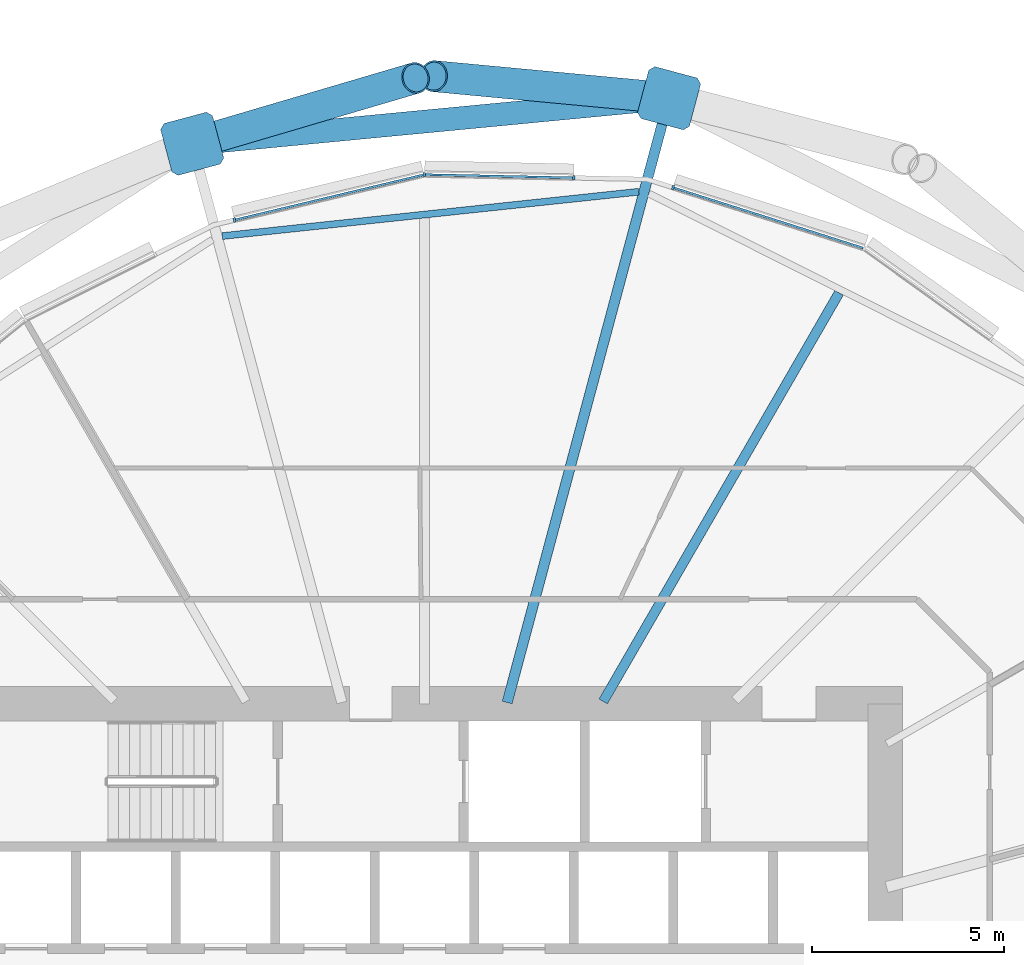
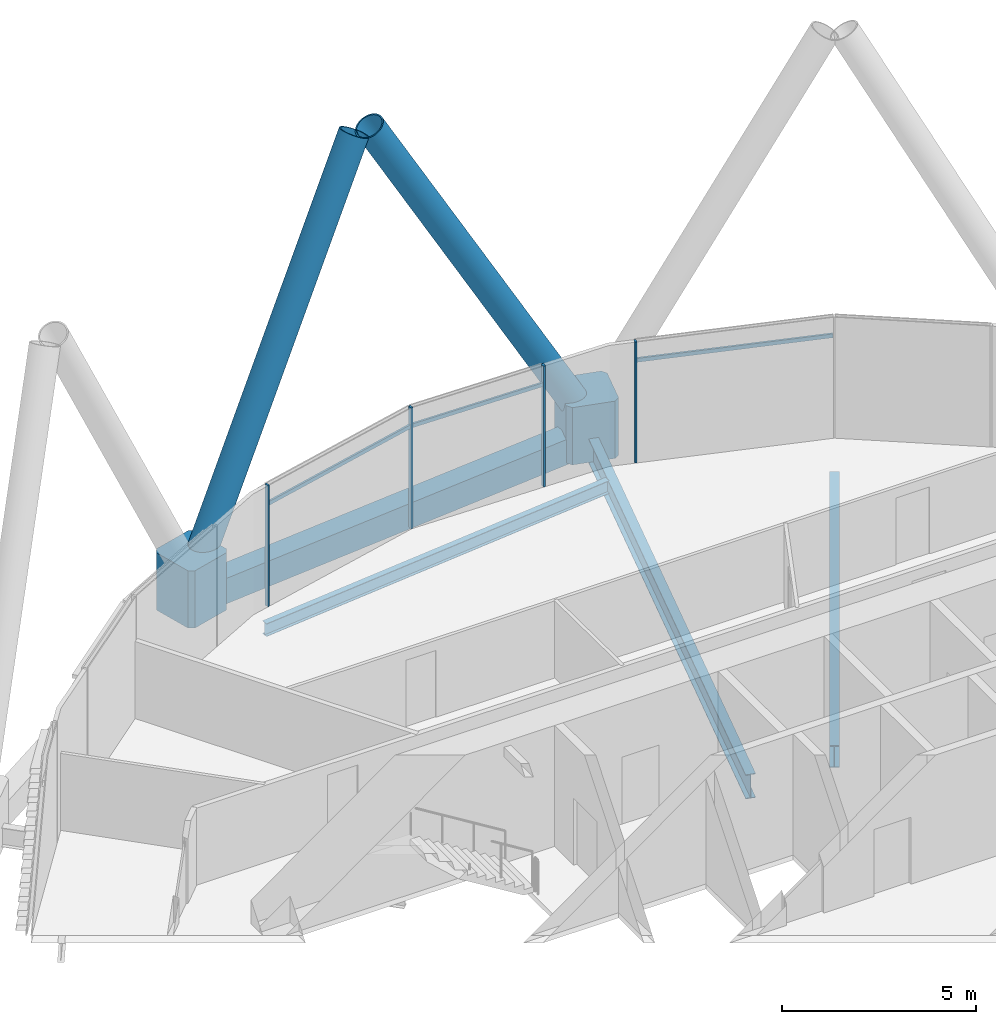
# One storey, part 20 of 40: 11 members, 4 beams, 1 element without a shape of its own.
"""IFC4 building model written with IfcOpenShell, lengths in metres."""

from ifc_helpers import new_model, si_unit, direction, frame, origin, origin_2d, place, context, subcontext, project, spatial, polyline, rectangle, hollow_rectangle, hollow_circle, i_section, outline, extrude, material, material_profile, profile_set, type_object, element, aggregate, save


model = new_model("IFC4")

# Units and contexts
model_context = context("Model", 3, precision=1e-05, world=origin(), true_north=direction((0.0, 1.0)))
body_context = subcontext(model_context, "Body", "Model", "MODEL_VIEW")
ifc_project = project(units=[si_unit("LENGTHUNIT", "METRE"), si_unit("AREAUNIT", "SQUARE_METRE"), si_unit("VOLUMEUNIT", "CUBIC_METRE"), si_unit("PLANEANGLEUNIT", "RADIAN"), si_unit("MASSUNIT", "GRAM", prefix="KILO")], contexts=[model_context])

# Site, building, storey
site_placement = place(None, origin())
site = spatial("IfcSite", under=ifc_project, at=site_placement, CompositionType="ELEMENT")
building_placement = place(site_placement, origin())
building = spatial("IfcBuilding", under=site, at=building_placement, Name="Rimbun Link Towers", CompositionType="ELEMENT")
storey_placement = place(building_placement, frame((0.0, 0.0, 52.800048828125)))
storey = spatial("IfcBuildingStorey", under=building, at=storey_placement, Name="L12", CompositionType="ELEMENT", Elevation=52.800048828125)

# Curtain wall, members
ifc_material_1 = material(Name="Aluminium 6063-T6 and low-iron glass", Category="aluminium")
curtain_wall_type = type_object("IfcCurtainWallType", Name="CW1 unitised vision wall", PredefinedType="NOTDEFINED", material=ifc_material_1)
curtain_wall_placement = place(storey_placement, origin())
curtain_wall = element("IfcCurtainWall", 1, at=curtain_wall_placement, inside=storey, type_object=curtain_wall_type, Name="CW1 L12 T2", PredefinedType="NOTDEFINED")
ifc_material_2 = material(Name="Aluminium 6063-T6", Category="aluminium")
ifc_material_profile_1 = material_profile(ifc_material_2, rectangle(XDim=0.1201171875, YDim=0.06005859375, at=origin_2d()), Name="MULLION 60X120")
ifc_profile_set_1 = profile_set([ifc_material_profile_1], Name="Aluminium 6063-T6")
member_type_1 = type_object("IfcMemberType", Name="CW1 mullion 60X120", PredefinedType="MULLION", material=ifc_profile_set_1)
member_1_placement = place(storey_placement, frame((38.22509765625, 21.453369140625, 0.0), z_axis=(0.0, 0.0, 1.0), x_axis=(0.303073433186, 0.952967205153, 0.0)))
member_1 = element("IfcMember", 2, at=member_1_placement, type_object=member_type_1, Name="CW1 mullion", PredefinedType="MULLION", context=body_context, shape_type="SweptSolid", body=[
    extrude(rectangle(XDim=0.1201171875, YDim=0.06005859375, at=origin_2d()), origin(), (0.0, 0.0, 1.0), 3.800048828125),
])
member_2_placement = place(storey_placement, frame((31.74365234375, 21.7900390625, 0.0), z_axis=(0.0, 0.0, 1.0), x_axis=(-0.106639525927, 0.994297747916, 0.0)))
member_2 = element("IfcMember", 3, at=member_2_placement, type_object=member_type_1, Name="CW1 mullion", PredefinedType="MULLION", context=body_context, shape_type="SweptSolid", body=[
    extrude(rectangle(XDim=0.1201171875, YDim=0.06005859375, at=origin_2d()), origin(), (0.0, 0.0, 1.0), 3.800048828125),
])
member_3_placement = place(storey_placement, frame((35.6416015625, 21.708251953125, 0.0), z_axis=(0.0, 0.0, 1.0), x_axis=(0.02106649948, 0.999778076675, 0.0)))
member_3 = element("IfcMember", 4, at=member_3_placement, type_object=member_type_1, Name="CW1 mullion", PredefinedType="MULLION", context=body_context, shape_type="SweptSolid", body=[
    extrude(rectangle(XDim=0.1201171875, YDim=0.06005859375, at=origin_2d()), origin(), (0.0, 0.0, 1.0), 3.800048828125),
])
member_4_placement = place(storey_placement, frame((26.799072265625, 20.60791015625, 0.0), z_axis=(0.0, 0.0, 1.0), x_axis=(-0.232603182737, 0.972571724543, 0.0)))
member_4 = element("IfcMember", 5, at=member_4_placement, type_object=member_type_1, Name="CW1 mullion", PredefinedType="MULLION", context=body_context, shape_type="SweptSolid", body=[
    extrude(rectangle(XDim=0.1201171875, YDim=0.06005859375, at=origin_2d()), origin(), (0.0, 0.0, 1.0), 3.800048828125),
])
ifc_material_3 = material(Name="Aluminium 6063-T6", Category="aluminium")
ifc_material_profile_2 = material_profile(ifc_material_3, rectangle(XDim=0.06005859375, YDim=0.1201171875, at=origin_2d()), Name="TRANSOM 60X120")
ifc_profile_set_2 = profile_set([ifc_material_profile_2], Name="Aluminium 6063-T6")
member_type_2 = type_object("IfcMemberType", Name="CW1 transom 60X120", PredefinedType="USERDEFINED", material=ifc_profile_set_2)
member_5_placement = place(storey_placement, frame((38.253173828125, 21.4423828125, 3.199951171875), z_axis=(0.95296300276, -0.303086646639, 0.0), x_axis=(0.303086646639, 0.95296300276, 0.0)))
member_5 = element("IfcMember", 6, at=member_5_placement, type_object=member_type_2, Name="CW1 transom", ObjectType="TRANSOM", PredefinedType="USERDEFINED", context=body_context, shape_type="SweptSolid", body=[
    extrude(rectangle(XDim=0.06005859375, YDim=0.1201171875, at=origin_2d()), origin(), (0.0, 0.0, 1.0), 5.16748046875),
])
member_6_placement = place(storey_placement, frame((31.78125, 21.78759765625, 3.199951171875), z_axis=(0.999778862049, -0.021029193988, 0.0), x_axis=(0.021029193988, 0.999778862049, 0.0)))
member_6 = element("IfcMember", 7, at=member_6_placement, type_object=member_type_2, Name="CW1 transom", ObjectType="TRANSOM", PredefinedType="USERDEFINED", context=body_context, shape_type="SweptSolid", body=[
    extrude(rectangle(XDim=0.06005859375, YDim=0.1201171875, at=origin_2d()), origin(), (0.0, 0.0, 1.0), 3.8310546875),
])
member_7_placement = place(storey_placement, frame((26.82861328125, 20.613037109375, 3.199951171875), z_axis=(0.972573865596, 0.23259423028, 0.0), x_axis=(-0.23259423028, 0.972573865596, 0.0)))
member_7 = element("IfcMember", 8, at=member_7_placement, type_object=member_type_2, Name="CW1 transom", ObjectType="TRANSOM", PredefinedType="USERDEFINED", context=body_context, shape_type="SweptSolid", body=[
    extrude(rectangle(XDim=0.06005859375, YDim=0.1201171875, at=origin_2d()), origin(), (0.0, 0.0, 1.0), 5.016357421875),
])
aggregate(curtain_wall, [member_1, member_2, member_3, member_4, member_5, member_6, member_7])

# Members
ifc_material_4 = material(Name="Steel S460NH", Category="steel")
ifc_material_profile_3 = material_profile(ifc_material_4, hollow_circle(Radius=0.406494140625, WallThickness=0.0400390625, at=origin_2d()), Name="Diagrid diagonal CHS 813x40")
ifc_profile_set_3 = profile_set([ifc_material_profile_3], Name="Steel S460NH")
member_type_3 = type_object("IfcMemberType", Name="Diagrid diagonal CHS 813x40", PredefinedType="BRACE", material=ifc_profile_set_3)
member_8_placement = place(storey_placement, frame((37.878662109375, 23.804443359375, 0.43603515625), z_axis=(-0.487425904684, 0.045699338087, 0.871967635834), x_axis=(-0.093347106217, -0.995633626271, 0.0)))
element("IfcMember", 9, at=member_8_placement, inside=storey, type_object=member_type_3, Name="Diagrid diagonal T2 L12-L15 02b", PredefinedType="BRACE", context=body_context, shape_type="SweptSolid", body=[
    extrude(hollow_circle(Radius=0.406494140625, WallThickness=0.0400390625, at=origin_2d()), origin(), (0.0, 0.0, 1.0), 12.07373046875),
])
member_9_placement = place(storey_placement, frame((25.927978515625, 22.663330078125, 0.437255859375), z_axis=(0.4646064379, 0.136916341407, 0.874868432004), x_axis=(-0.282674377201, 0.959215927971, 0.0)))
element("IfcMember", 10, at=member_9_placement, inside=storey, type_object=member_type_3, Name="Diagrid diagonal T2 L12-L15 04a", PredefinedType="BRACE", context=body_context, shape_type="SweptSolid", body=[
    extrude(hollow_circle(Radius=0.406494140625, WallThickness=0.0400390625, at=origin_2d()), origin(), (0.0, 0.0, 1.0), 12.03076171875),
])
ifc_material_5 = material(Name="Cast steel G20Mn5+QT, Rp0.2 300 MPa", Category="steel")
ifc_material_profile_4 = material_profile(ifc_material_5, outline(polyline([(0.699951171875, -0.570068359375), (0.699951171875, 0.570068359375), (0.570068359375, 0.699951171875), (-0.570068359375, 0.699951171875), (-0.699951171875, 0.570068359375), (-0.699951171875, -0.570068359375), (-0.570068359375, -0.699951171875), (0.570068359375, -0.699951171875), (0.699951171875, -0.570068359375)])), Name="NODE 1400x1400")
ifc_profile_set_4 = profile_set([ifc_material_profile_4], Name="Cast steel G20Mn5+QT, Rp0.2 300 MPa")
member_type_4 = type_object("IfcMemberType", Name="Diagrid node cast 1400", PredefinedType="USERDEFINED", material=ifc_profile_set_4)
for number, where, z_axis, x_axis, name in (
    (11, (38.122314453125, 23.781494140625, -0.900146484375), (0.0, 0.0, 1.0), (0.258819045103, 0.965925826289, 0.0), "Diagrid node L12 02"),
    (12, (25.69580078125, 22.594970703125, -0.900146484375), (0.0, 0.0, 1.0), (-0.258819045103, 0.965925826289, 0.0), "Diagrid node L12 04"),
):
    element("IfcMember", number, at=place(storey_placement, frame(where, z_axis=z_axis, x_axis=x_axis)), inside=storey, type_object=member_type_4, Name=name, ObjectType="Diagrid node", PredefinedType="USERDEFINED", context=body_context, shape_type="SweptSolid", body=[
        extrude(outline(polyline([(0.699951171875, -0.570068359375), (0.699951171875, 0.570068359375), (0.570068359375, 0.699951171875), (-0.570068359375, 0.699951171875), (-0.699951171875, 0.570068359375), (-0.699951171875, -0.570068359375), (-0.570068359375, -0.699951171875), (0.570068359375, -0.699951171875), (0.699951171875, -0.570068359375)])), origin(), (0.0, 0.0, 1.0), 1.800048828125),
    ])

# Beams
ifc_material_6 = material(Name="Steel S355J2", Category="steel")
ifc_material_profile_5 = material_profile(ifc_material_6, hollow_rectangle(XDim=0.60009765625, YDim=0.800048828125, WallThickness=0.0400390625, at=origin_2d()), Name="Exoskeleton ring girder BOX 600x800x40")
ifc_profile_set_5 = profile_set([ifc_material_profile_5], Name="Steel S355J2")
beam_type_1 = type_object("IfcBeamType", Name="Exoskeleton ring girder BOX 600x800x40", PredefinedType="BEAM", material=ifc_profile_set_5)
beam_1_placement = place(storey_placement, frame((37.425537109375, 23.715087890625, -0.56005859375), z_axis=(-0.995470290933, -0.095073129067, 0.0), x_axis=(0.095073129067, -0.995470290933, 0.0)))
element("IfcBeam", 13, at=beam_1_placement, inside=storey, type_object=beam_type_1, Name="Exoskeleton ring girder L12 01", PredefinedType="BEAM", context=body_context, shape_type="SweptSolid", body=[
    extrude(hollow_rectangle(XDim=0.60009765625, YDim=0.800048828125, WallThickness=0.0400390625, at=origin_2d()), origin(), (0.0, 0.0, 1.0), 11.083251953125),
])
ifc_material_7 = material(Name="Steel S355J2", Category="steel")
ifc_material_profile_6 = material_profile(ifc_material_7, i_section(OverallWidth=0.177978515625, OverallDepth=0.406494140625, WebThickness=0.0078125, FlangeThickness=0.0126953125, at=origin_2d()), Name="UB 406x178x60")
ifc_profile_set_6 = profile_set([ifc_material_profile_6], Name="Steel S355J2")
beam_type_2 = type_object("IfcBeamType", Name="UB 406x178x60", PredefinedType="BEAM", material=ifc_profile_set_6)
beam_2_placement = place(storey_placement, frame((37.330078125, 21.344482421875, -0.36328125), z_axis=(-0.994382301394, -0.105848186925, 0.0), x_axis=(0.105848186925, -0.994382301394, 0.0)))
element("IfcBeam", 14, at=beam_2_placement, inside=storey, type_object=beam_type_2, Name="Edge beam T2 L12 02-04", PredefinedType="BEAM", context=body_context, shape_type="SweptSolid", body=[
    extrude(i_section(OverallWidth=0.177978515625, OverallDepth=0.406494140625, WebThickness=0.0078125, FlangeThickness=0.0126953125, at=origin_2d()), origin(), (0.0, 0.0, 1.0), 10.912109375),
])
ifc_material_8 = material(Name="Steel S355J2", Category="steel")
ifc_material_profile_7 = material_profile(ifc_material_8, i_section(OverallWidth=0.253662109375, OverallDepth=0.68359375, WebThickness=0.012451171875, FlangeThickness=0.01904296875, at=origin_2d()), Name="UB 686x254x140")
ifc_profile_set_7 = profile_set([ifc_material_profile_7], Name="Steel S355J2")
beam_type_3 = type_object("IfcBeamType", Name="UB 686x254x140", PredefinedType="BEAM", material=ifc_profile_set_7)
beam_3_placement = place(storey_placement, frame((36.406005859375, 8.064208984375, -0.501708984375), z_axis=(0.499994660107, 0.866028486751, 0.0), x_axis=(-0.866028486751, 0.499994660107, 0.0)))
element("IfcBeam", 15, at=beam_3_placement, inside=storey, type_object=beam_type_3, Name="Radial beam T2 L12 01", PredefinedType="BEAM", context=body_context, shape_type="SweptSolid", body=[
    extrude(i_section(OverallWidth=0.253662109375, OverallDepth=0.68359375, WebThickness=0.012451171875, FlangeThickness=0.01904296875, at=origin_2d()), origin(), (0.0, 0.0, 1.0), 12.292724609375),
])
ifc_material_9 = material(Name="Steel S355J2", Category="steel")
ifc_material_profile_8 = material_profile(ifc_material_9, i_section(OverallWidth=0.2666015625, OverallDepth=0.76220703125, WebThickness=0.014404296875, FlangeThickness=0.021484375, at=origin_2d()), Name="UB 762x267x173")
ifc_profile_set_8 = profile_set([ifc_material_profile_8], Name="Steel S355J2")
beam_type_4 = type_object("IfcBeamType", Name="UB 762x267x173", PredefinedType="BEAM", material=ifc_profile_set_8)
beam_4_placement = place(storey_placement, frame((33.903076171875, 8.035400390625, -0.541259765625), z_axis=(0.258824124895, 0.965924465149, 0.0), x_axis=(-0.965924465149, 0.258824124895, 0.0)))
element("IfcBeam", 16, at=beam_4_placement, inside=storey, type_object=beam_type_4, Name="Radial beam T2 L12 02", PredefinedType="BEAM", context=body_context, shape_type="SweptSolid", body=[
    extrude(i_section(OverallWidth=0.2666015625, OverallDepth=0.76220703125, WebThickness=0.014404296875, FlangeThickness=0.021484375, at=origin_2d()), origin(), (0.0, 0.0, 1.0), 15.801513671875),
])

save(model, "model.ifc")
